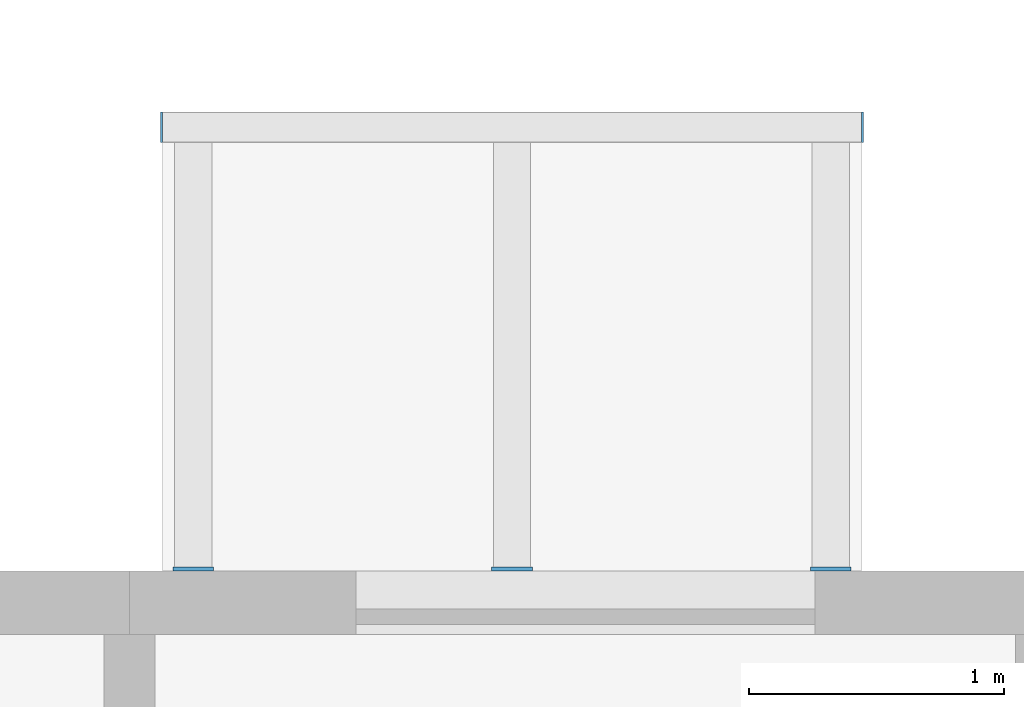
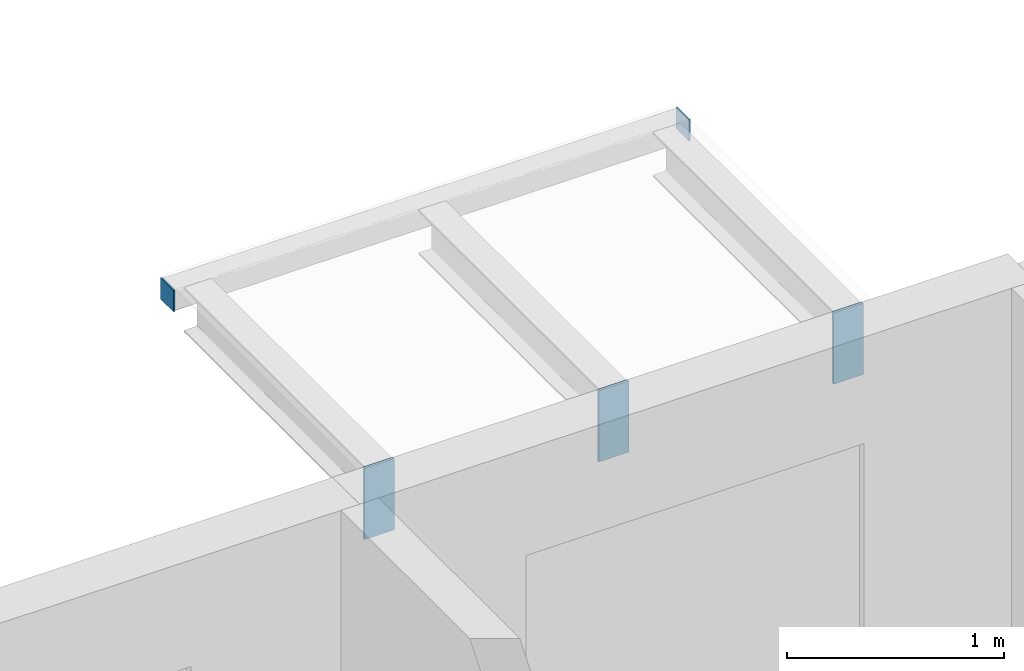
# One storey, part 60 of 78: 5 discrete accessories.
"""IFC4 building model written with IfcOpenShell, lengths in metres."""

from ifc_helpers import new_model, si_unit, direction, frame, origin, origin_2d, place, context, subcontext, project, spatial, rectangle, extrude, material, layer, layer_set, type_object, element, save


model = new_model("IFC4")

# Units and contexts
model_context = context("Model", 3, precision=1e-05, world=origin(), true_north=direction((0.0, 1.0)))
body_context = subcontext(model_context, "Body", "Model", "MODEL_VIEW")
ifc_project = project(units=[si_unit("LENGTHUNIT", "METRE"), si_unit("AREAUNIT", "SQUARE_METRE"), si_unit("VOLUMEUNIT", "CUBIC_METRE"), si_unit("PLANEANGLEUNIT", "RADIAN"), si_unit("MASSUNIT", "GRAM", prefix="KILO")], contexts=[model_context])

# Site, building, storey
site_placement = place(None, origin())
site = spatial("IfcSite", under=ifc_project, at=site_placement, CompositionType="ELEMENT")
building_placement = place(site_placement, origin())
building = spatial("IfcBuilding", under=site, at=building_placement, Name="Ridgestep Commons", CompositionType="ELEMENT")
storey_placement = place(building_placement, frame((0.0, 0.0, 30.0)))
storey = spatial("IfcBuildingStorey", under=building, at=storey_placement, Name="L10", CompositionType="ELEMENT", Elevation=30.0)

# Discrete accessories
ifc_material_1 = material(Name="Weathering steel S355J2W", Category="steel")
ifc_layer_1 = layer(ifc_material_1, 0.014892578125)
ifc_layer_set_1 = layer_set([ifc_layer_1], Name="Tray bracket plate 15")
discrete_accessory_type_1 = type_object("IfcDiscreteAccessoryType", Name="Tray bracket plate 15", PredefinedType="BRACKET", material=ifc_layer_set_1)
for number, where, z_axis, x_axis, name in (
    (1, (204.64990234375, 23.007568359375, 2.588623046875), (0.0, 0.0, 1.0), (1.0, 0.0, 0.0), "Tray bracket D4T3-11.1"),
    (2, (205.89990234375, 23.007568359375, 2.588623046875), (0.0, 0.0, 1.0), (1.0, 0.0, 0.0), "Tray bracket D4T3-11.2"),
    (3, (207.14990234375, 23.007568359375, 2.588623046875), (0.0, 0.0, 1.0), (1.0, 0.0, 0.0), "Tray bracket D4T3-11.3"),
):
    element("IfcDiscreteAccessory", number, at=place(storey_placement, frame(where, z_axis=z_axis, x_axis=x_axis)), inside=storey, type_object=discrete_accessory_type_1, Name=name, PredefinedType="BRACKET", context=body_context, shape_type="SweptSolid", body=[
        extrude(rectangle(XDim=0.159912109375, YDim=0.014892578125, at=origin_2d()), origin(), (0.0, 0.0, 1.0), 0.4013671875),
    ])
ifc_material_2 = material(Name="Weathering steel S355J2W", Category="steel")
ifc_layer_2 = layer(ifc_material_2, 0.008056640625)
ifc_layer_set_2 = layer_set([ifc_layer_2], Name="Tray edge member end plate 120 x 120 x 8")
discrete_accessory_type_2 = type_object("IfcDiscreteAccessoryType", Name="Tray edge member end plate 120 x 120 x 8", PredefinedType="BRACKET", material=ifc_layer_set_2)
for number, where, z_axis, x_axis, name in (
    (4, (204.52587890625, 24.739990234375, 2.869873046875), (0.0, 0.0, 1.0), (1.0, 0.0, 0.0), "Tray edge member end plate D4T3-11 west"),
    (5, (207.27392578125, 24.739990234375, 2.869873046875), (0.0, 0.0, 1.0), (1.0, 0.0, 0.0), "Tray edge member end plate D4T3-11 east"),
):
    element("IfcDiscreteAccessory", number, at=place(storey_placement, frame(where, z_axis=z_axis, x_axis=x_axis)), inside=storey, type_object=discrete_accessory_type_2, Name=name, PredefinedType="BRACKET", context=body_context, shape_type="SweptSolid", body=[
        extrude(rectangle(XDim=0.008056640625, YDim=0.1201171875, at=origin_2d()), origin(), (0.0, 0.0, 1.0), 0.1201171875),
    ])

save(model, "model.ifc")
